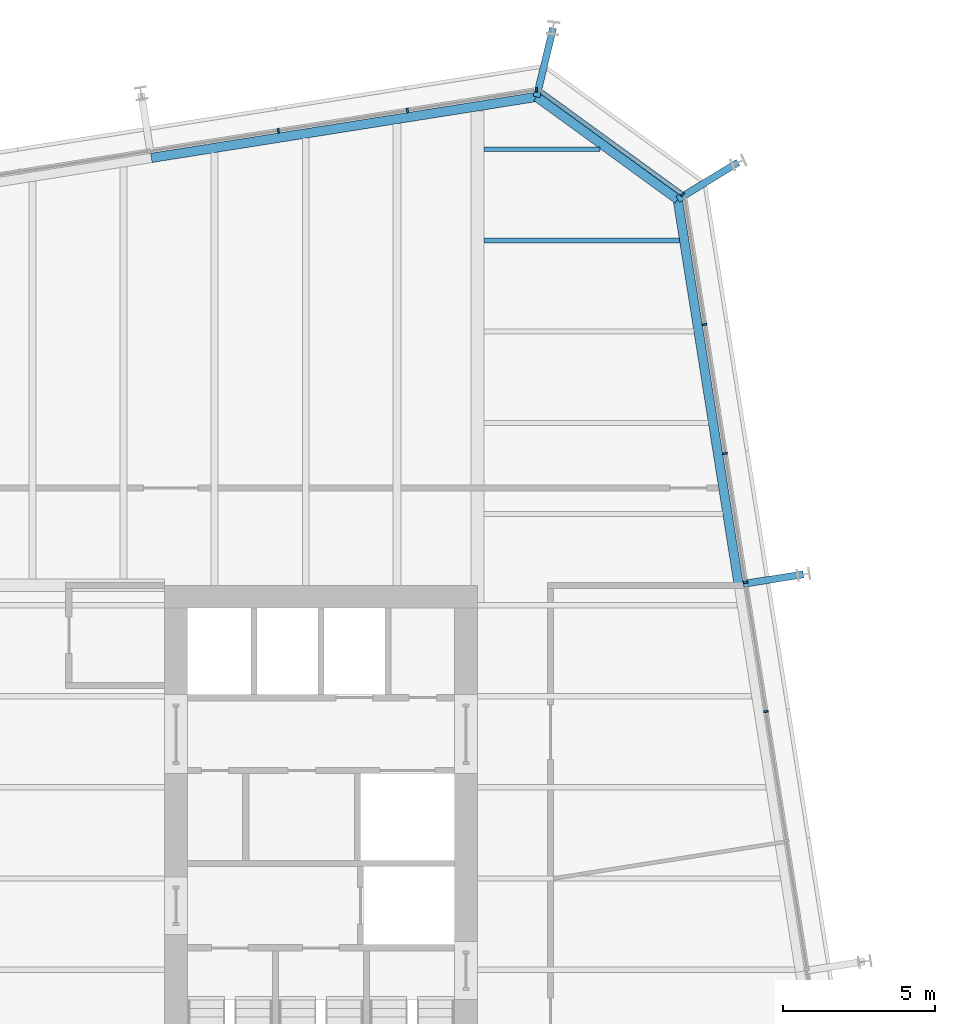
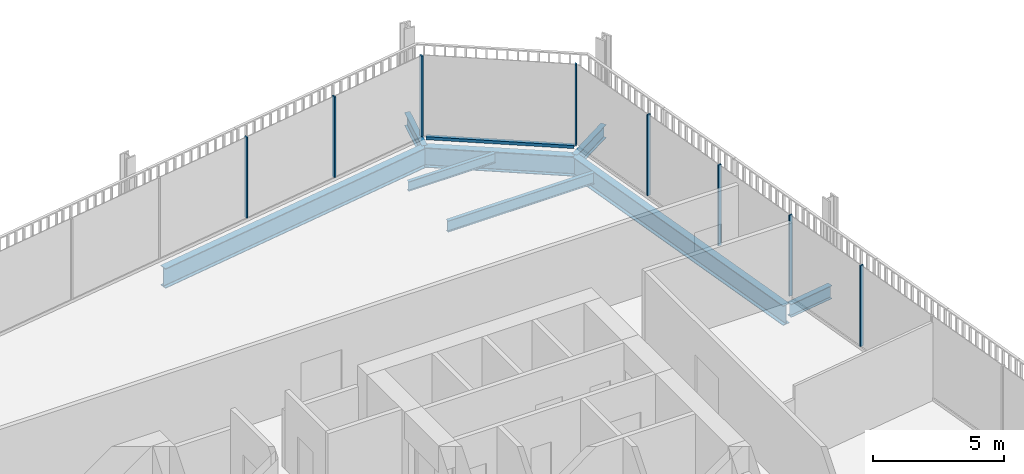
# One storey, part 15 of 21: 9 members, 8 beams, 3 elements without a shape of their own.
"""IFC4 building model written with IfcOpenShell, lengths in metres."""

from ifc_helpers import new_model, si_unit, direction, frame, origin, origin_2d, place, context, subcontext, project, spatial, rectangle, i_section, extrude, material, layer, layer_set, material_profile, profile_set, type_object, element, aggregate, save


model = new_model("IFC4")

# Units and contexts
model_context = context("Model", 3, precision=1e-05, world=origin(), true_north=direction((0.0, 1.0)))
body_context = subcontext(model_context, "Body", "Model", "MODEL_VIEW")
ifc_project = project(units=[si_unit("LENGTHUNIT", "METRE"), si_unit("AREAUNIT", "SQUARE_METRE"), si_unit("VOLUMEUNIT", "CUBIC_METRE"), si_unit("PLANEANGLEUNIT", "RADIAN"), si_unit("MASSUNIT", "GRAM", prefix="KILO")], contexts=[model_context])

# Site, building, storey
site_placement = place(None, origin())
site = spatial("IfcSite", under=ifc_project, at=site_placement, CompositionType="ELEMENT")
building_placement = place(site_placement, origin())
building = spatial("IfcBuilding", under=site, at=building_placement, Name="Millrace Tower", CompositionType="ELEMENT")
storey_placement = place(building_placement, frame((0.0, 0.0, 191.699951171875)))
storey = spatial("IfcBuildingStorey", under=building, at=storey_placement, Name="L43", CompositionType="ELEMENT", Elevation=191.699951171875)

# Curtain wall, members
ifc_material_1 = material(Name="Aluminium and glass", Category="aluminium")
ifc_layer = layer(ifc_material_1, 0.14990234375)
ifc_layer_set = layer_set([ifc_layer], Name="Aluminium and glass")
curtain_wall_type = type_object("IfcCurtainWallType", Name="CW-1 office vision curtain wall", PredefinedType="NOTDEFINED", material=ifc_layer_set)
placement = place(storey_placement, origin())
curtain_wall_1 = element("IfcCurtainWall", 1, at=placement, inside=storey, type_object=curtain_wall_type, Name="Curtain wall C-F04 L43", PredefinedType="NOTDEFINED")
ifc_material_2 = material(Name="Aluminium", Category="aluminium")
ifc_material_profile_1 = material_profile(ifc_material_2, rectangle(XDim=0.06494140625, YDim=0.14990234375, at=origin_2d()))
ifc_profile_set_1 = profile_set([ifc_material_profile_1], Name="Aluminium")
member_type_1 = type_object("IfcMemberType", Name="CW-1 office vision curtain wall mullion", PredefinedType="MULLION", material=ifc_profile_set_1)
member_1_placement = place(storey_placement, frame((24.143310546875, 5.49365234375, 0.14013671875), z_axis=(0.0, 0.0, 1.0), x_axis=(-0.15643447328, 0.98768833929, 0.0)))
member_1 = element("IfcMember", 2, at=member_1_placement, type_object=member_type_1, Name="CW1 mullion C-F04.6", PredefinedType="MULLION", context=body_context, shape_type="SweptSolid", body=[
    extrude(rectangle(XDim=0.06494140625, YDim=0.14990234375, at=origin_2d()), origin(), (0.0, 0.0, 1.0), 3.760009765625),
])
member_2_placement = place(storey_placement, frame((23.470703125, 9.74072265625, 0.14013671875), z_axis=(0.0, 0.0, 1.0), x_axis=(-0.15643447328, 0.98768833929, 0.0)))
member_2 = element("IfcMember", 3, at=member_2_placement, type_object=member_type_1, Name="CW1 mullion C-F04.7", PredefinedType="MULLION", context=body_context, shape_type="SweptSolid", body=[
    extrude(rectangle(XDim=0.06494140625, YDim=0.14990234375, at=origin_2d()), origin(), (0.0, 0.0, 1.0), 3.760009765625),
])
member_3_placement = place(storey_placement, frame((22.798095703125, 13.98779296875, 0.14013671875), z_axis=(0.0, 0.0, 1.0), x_axis=(-0.15643447328, 0.98768833929, 0.0)))
member_3 = element("IfcMember", 4, at=member_3_placement, type_object=member_type_1, Name="CW1 mullion C-F04.8", PredefinedType="MULLION", context=body_context, shape_type="SweptSolid", body=[
    extrude(rectangle(XDim=0.06494140625, YDim=0.14990234375, at=origin_2d()), origin(), (0.0, 0.0, 1.0), 3.760009765625),
])
member_4_placement = place(storey_placement, frame((22.125244140625, 18.23486328125, 0.14013671875), z_axis=(0.0, 0.0, 1.0), x_axis=(-0.15643447328, 0.98768833929, 0.0)))
member_4 = element("IfcMember", 5, at=member_4_placement, type_object=member_type_1, Name="CW1 mullion C-F04.9", PredefinedType="MULLION", context=body_context, shape_type="SweptSolid", body=[
    extrude(rectangle(XDim=0.06494140625, YDim=0.14990234375, at=origin_2d()), origin(), (0.0, 0.0, 1.0), 3.760009765625),
])
aggregate(curtain_wall_1, [member_1, member_2, member_3, member_4])

# Curtain wall, member
curtain_wall_2 = element("IfcCurtainWall", 6, at=placement, inside=storey, type_object=curtain_wall_type, Name="Curtain wall C-F05 L43", PredefinedType="NOTDEFINED")
member_5_placement = place(storey_placement, frame((21.4013671875, 22.517822265625, 0.14013671875), z_axis=(0.0, 0.0, 1.0), x_axis=(-0.809016981623, 0.587785269844, 0.0)))
member_5 = element("IfcMember", 7, at=member_5_placement, type_object=member_type_1, Name="CW1 mullion C-F05.1", PredefinedType="MULLION", context=body_context, shape_type="SweptSolid", body=[
    extrude(rectangle(XDim=0.06494140625, YDim=0.14990234375, at=origin_2d()), origin(), (0.0, 0.0, 1.0), 3.760009765625),
])

# Curtain wall, members
curtain_wall_3 = element("IfcCurtainWall", 8, at=placement, inside=storey, type_object=curtain_wall_type, Name="Curtain wall C-F06 L43", PredefinedType="NOTDEFINED")
member_6_placement = place(storey_placement, frame((16.591796875, 25.956787109375, 0.14013671875), z_axis=(0.0, 0.0, 1.0), x_axis=(-0.98768833929, -0.15643447328, 0.0)))
member_6 = element("IfcMember", 9, at=member_6_placement, type_object=member_type_1, Name="CW1 mullion C-F06.1", PredefinedType="MULLION", context=body_context, shape_type="SweptSolid", body=[
    extrude(rectangle(XDim=0.06494140625, YDim=0.14990234375, at=origin_2d()), origin(), (0.0, 0.0, 1.0), 3.760009765625),
])
member_7_placement = place(storey_placement, frame((12.3447265625, 25.283935546875, 0.14013671875), z_axis=(0.0, 0.0, 1.0), x_axis=(-0.98768833929, -0.15643447328, 0.0)))
member_7 = element("IfcMember", 10, at=member_7_placement, type_object=member_type_1, Name="CW1 mullion C-F06.2", PredefinedType="MULLION", context=body_context, shape_type="SweptSolid", body=[
    extrude(rectangle(XDim=0.06494140625, YDim=0.14990234375, at=origin_2d()), origin(), (0.0, 0.0, 1.0), 3.760009765625),
])
member_8_placement = place(storey_placement, frame((8.09765625, 24.611328125, 0.14013671875), z_axis=(0.0, 0.0, 1.0), x_axis=(-0.98768833929, -0.15643447328, 0.0)))
member_8 = element("IfcMember", 11, at=member_8_placement, type_object=member_type_1, Name="CW1 mullion C-F06.3", PredefinedType="MULLION", context=body_context, shape_type="SweptSolid", body=[
    extrude(rectangle(XDim=0.06494140625, YDim=0.14990234375, at=origin_2d()), origin(), (0.0, 0.0, 1.0), 3.760009765625),
])
aggregate(curtain_wall_3, [member_6, member_7, member_8])

# Member
ifc_material_3 = material(Name="Aluminium", Category="aluminium")
ifc_material_profile_2 = material_profile(ifc_material_3, rectangle(XDim=0.14990234375, YDim=0.139892578125, at=origin_2d()))
ifc_profile_set_2 = profile_set([ifc_material_profile_2], Name="Aluminium")
member_type_2 = type_object("IfcMemberType", Name="CW-1 office vision curtain wall transom", PredefinedType="USERDEFINED", material=ifc_profile_set_2)
member_9_placement = place(storey_placement, frame((21.346923828125, 22.557373046875, 0.070068359375), z_axis=(-0.809013470651, 0.587790102252, 0.0), x_axis=(-0.587790102252, -0.809013470651, 0.0)))
member_9 = element("IfcMember", 12, at=member_9_placement, type_object=member_type_2, Name="CW1 transom C-F05.1", ObjectType="TRANSOM", PredefinedType="USERDEFINED", context=body_context, shape_type="SweptSolid", body=[
    extrude(rectangle(XDim=0.14990234375, YDim=0.139892578125, at=origin_2d()), origin(), (0.0, 0.0, 1.0), 5.669189453125),
])

aggregate(curtain_wall_2, [member_5, member_9])

# Beams
ifc_material_4 = material(Name="Steel ASTM A992 Grade 50", Category="steel")
ifc_material_profile_3 = material_profile(ifc_material_4, i_section(OverallWidth=0.15234375, OverallDepth=0.449462890625, WebThickness=0.007568359375, FlangeThickness=0.0107421875, FilletRadius=0.01025390625, at=origin_2d()))
ifc_profile_set_3 = profile_set([ifc_material_profile_3], Name="Steel ASTM A992 Grade 50")
beam_type_1 = type_object("IfcBeamType", Name="Floor beam W18x35", PredefinedType="JOIST", material=ifc_profile_set_3)
beam_1_placement = place(storey_placement, frame((14.859619140625, 24.0, -0.384765625), z_axis=(1.0, 0.0, 0.0), x_axis=(0.0, 1.0, 0.0)))
element("IfcBeam", 13, at=beam_1_placement, inside=storey, type_object=beam_type_1, Name="BM-C-L43-S1-S038", PredefinedType="JOIST", context=body_context, shape_type="SweptSolid", body=[
    extrude(i_section(OverallWidth=0.15234375, OverallDepth=0.449462890625, WebThickness=0.007568359375, FlangeThickness=0.0107421875, FilletRadius=0.01025390625, at=origin_2d()), origin(), (0.0, 0.0, 1.0), 3.8232421875),
])
ifc_material_5 = material(Name="Steel ASTM A992 Grade 50", Category="steel")
ifc_material_profile_4 = material_profile(ifc_material_5, i_section(OverallWidth=0.1650390625, OverallDepth=0.52587890625, WebThickness=0.0087890625, FlangeThickness=0.011474609375, FilletRadius=0.0126953125, at=origin_2d()))
ifc_profile_set_4 = profile_set([ifc_material_profile_4], Name="Steel ASTM A992 Grade 50")
beam_type_2 = type_object("IfcBeamType", Name="Floor beam W21x44", PredefinedType="JOIST", material=ifc_profile_set_4)
beam_2_placement = place(storey_placement, frame((14.859619140625, 21.0, -0.4228515625), z_axis=(1.0, 0.0, 0.0), x_axis=(0.0, 1.0, 0.0)))
element("IfcBeam", 14, at=beam_2_placement, inside=storey, type_object=beam_type_2, Name="BM-C-L43-S1-S037", PredefinedType="JOIST", context=body_context, shape_type="SweptSolid", body=[
    extrude(i_section(OverallWidth=0.1650390625, OverallDepth=0.52587890625, WebThickness=0.0087890625, FlangeThickness=0.011474609375, FilletRadius=0.0126953125, at=origin_2d()), origin(), (0.0, 0.0, 1.0), 6.440673828125),
])
ifc_material_6 = material(Name="Steel ASTM A992 Grade 50", Category="steel")
ifc_material_profile_5 = material_profile(ifc_material_6, i_section(OverallWidth=0.23046875, OverallDepth=0.6171875, WebThickness=0.01318359375, FlangeThickness=0.022216796875, FilletRadius=0.012939453125, at=origin_2d()))
ifc_profile_set_5 = profile_set([ifc_material_profile_5], Name="Steel ASTM A992 Grade 50")
beam_type_3 = type_object("IfcBeamType", Name="Link beam W24x94", PredefinedType="BEAM", material=ifc_profile_set_5)
beam_3_placement = place(storey_placement, frame((16.5966796875, 25.725830078125, -0.468505859375), z_axis=(0.233432364948, 0.972373041068, 0.0), x_axis=(-0.972373041068, 0.233432364948, 0.0)))
element("IfcBeam", 15, at=beam_3_placement, inside=storey, type_object=beam_type_3, Name="LNK-C-L43-S1-08", PredefinedType="BEAM", context=body_context, shape_type="SweptSolid", body=[
    extrude(i_section(OverallWidth=0.23046875, OverallDepth=0.6171875, WebThickness=0.01318359375, FlangeThickness=0.022216796875, FilletRadius=0.012939453125, at=origin_2d()), origin(), (0.0, 0.0, 1.0), 2.331298828125),
])
beam_4_placement = place(storey_placement, frame((21.241943359375, 22.35107421875, -0.468505859375), z_axis=(0.852631355792, 0.522512938711, 0.0), x_axis=(-0.522512938711, 0.852631355792, 0.0)))
element("IfcBeam", 16, at=beam_4_placement, inside=storey, type_object=beam_type_3, Name="LNK-C-L43-S1-09", PredefinedType="BEAM", context=body_context, shape_type="SweptSolid", body=[
    extrude(i_section(OverallWidth=0.23046875, OverallDepth=0.6171875, WebThickness=0.01318359375, FlangeThickness=0.022216796875, FilletRadius=0.012939453125, at=origin_2d()), origin(), (0.0, 0.0, 1.0), 2.3310546875),
])
beam_5_placement = place(storey_placement, frame((23.401611328125, 9.69677734375, -0.468505859375), z_axis=(0.987678691416, 0.156495375404, 0.0), x_axis=(-0.156495375404, 0.987678691416, 0.0)))
element("IfcBeam", 17, at=beam_5_placement, inside=storey, type_object=beam_type_3, Name="LNK-C-L43-S1-10", PredefinedType="BEAM", context=body_context, shape_type="SweptSolid", body=[
    extrude(i_section(OverallWidth=0.23046875, OverallDepth=0.6171875, WebThickness=0.01318359375, FlangeThickness=0.022216796875, FilletRadius=0.012939453125, at=origin_2d()), origin(), (0.0, 0.0, 1.0), 2.0),
])
ifc_material_7 = material(Name="Steel ASTM A992 Grade 50", Category="steel")
ifc_material_profile_6 = material_profile(ifc_material_7, i_section(OverallWidth=0.307373046875, OverallDepth=0.927001953125, WebThickness=0.01953125, FlangeThickness=0.031982421875, FilletRadius=0.01904296875, at=origin_2d()))
ifc_profile_set_6 = profile_set([ifc_material_profile_6], Name="Steel ASTM A992 Grade 50")
beam_type_4 = type_object("IfcBeamType", Name="Ring beam medium span W36x194", PredefinedType="SPANDREL", material=ifc_profile_set_6)
for number, where, z_axis, x_axis, name in (
    (18, (3.91845703125, 23.718017578125, -0.62353515625), (0.987690996996, 0.156417692264, 0.0), (-0.156417692264, 0.987690996996, 0.0), "RNG-C-L43-S1-07"),
    (19, (21.241943359375, 22.35107421875, -0.62353515625), (0.156436246498, -0.987688058438, 0.0), (0.987688058438, 0.156436246498, 0.0), "RNG-C-L43-S1-09"),
):
    element("IfcBeam", number, at=place(storey_placement, frame(where, z_axis=z_axis, x_axis=x_axis)), inside=storey, type_object=beam_type_4, Name=name, PredefinedType="SPANDREL", context=body_context, shape_type="SweptSolid", body=[
        extrude(i_section(OverallWidth=0.307373046875, OverallDepth=0.927001953125, WebThickness=0.01953125, FlangeThickness=0.031982421875, FilletRadius=0.01904296875, at=origin_2d()), origin(), (0.0, 0.0, 1.0), 12.836181640625),
    ])
ifc_material_8 = material(Name="Steel ASTM A992 Grade 50", Category="steel")
ifc_material_profile_7 = material_profile(ifc_material_8, i_section(OverallWidth=0.307373046875, OverallDepth=0.927001953125, WebThickness=0.01953125, FlangeThickness=0.031982421875, FilletRadius=0.01904296875, at=origin_2d()))
ifc_profile_set_7 = profile_set([ifc_material_profile_7], Name="Steel ASTM A992 Grade 50")
beam_type_5 = type_object("IfcBeamType", Name="Ring beam short span W36x194", PredefinedType="SPANDREL", material=ifc_profile_set_7)
beam_6_placement = place(storey_placement, frame((16.5966796875, 25.725830078125, -0.62353515625), z_axis=(0.809035690681, -0.587759518174, 0.0), x_axis=(0.587759518174, 0.809035690681, 0.0)))
element("IfcBeam", 20, at=beam_6_placement, inside=storey, type_object=beam_type_5, Name="RNG-C-L43-S1-08", PredefinedType="SPANDREL", context=body_context, shape_type="SweptSolid", body=[
    extrude(i_section(OverallWidth=0.307373046875, OverallDepth=0.927001953125, WebThickness=0.01953125, FlangeThickness=0.031982421875, FilletRadius=0.01904296875, at=origin_2d()), origin(), (0.0, 0.0, 1.0), 5.74169921875),
])

save(model, "model.ifc")
